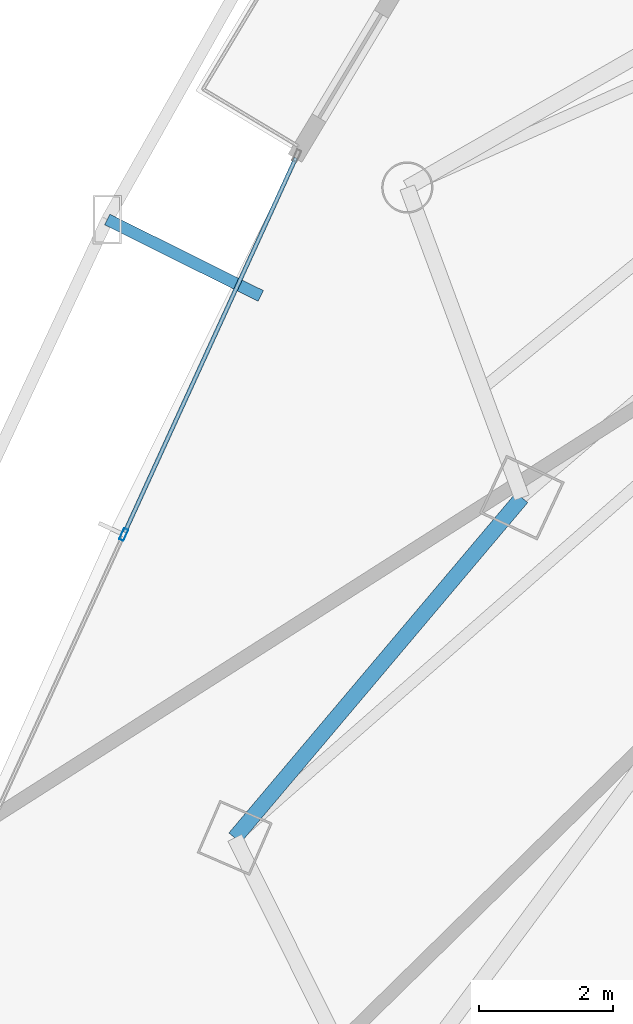
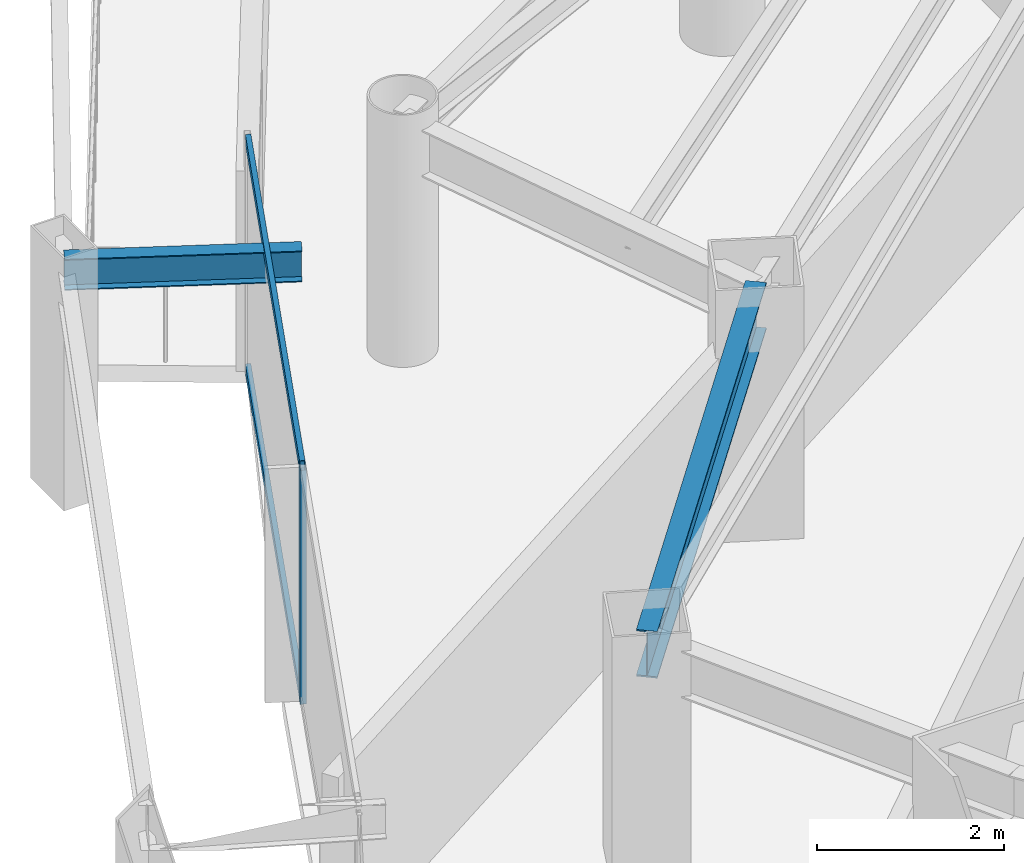
# One storey, part 8 of 34: 3 members, 2 beams, 1 element without a shape of its own.
"""IFC4 building model written with IfcOpenShell, lengths in metres."""

from ifc_helpers import new_model, si_unit, direction, frame, origin, origin_2d, place, context, subcontext, project, spatial, hollow_rectangle, i_section, extrude, material, layer, layer_set, material_profile, profile_set, type_object, element, aggregate, save


model = new_model("IFC4")

# Units and contexts
model_context = context("Model", 3, precision=1e-05, world=origin(), true_north=direction((0.0, 1.0)))
body_context = subcontext(model_context, "Body", "Model", "MODEL_VIEW")
ifc_project = project(units=[si_unit("LENGTHUNIT", "METRE"), si_unit("AREAUNIT", "SQUARE_METRE"), si_unit("VOLUMEUNIT", "CUBIC_METRE"), si_unit("PLANEANGLEUNIT", "RADIAN"), si_unit("MASSUNIT", "GRAM", prefix="KILO")], contexts=[model_context])

# Site, building, storey
site_placement = place(None, origin())
site = spatial("IfcSite", under=ifc_project, at=site_placement, CompositionType="ELEMENT")
building_placement = place(site_placement, origin())
building = spatial("IfcBuilding", under=site, at=building_placement, Name="Orvanel Arch Residences", CompositionType="ELEMENT")
storey_placement = place(building_placement, frame((0.0, 0.0, 67.550048828125)))
storey = spatial("IfcBuildingStorey", under=building, at=storey_placement, Name="L18", CompositionType="ELEMENT", Elevation=67.550048828125)

# Curtain wall, member
ifc_material_1 = material(Name="Bronze-anodised aluminium AA6063-T6", Category="aluminium")
ifc_layer = layer(ifc_material_1, 0.179931640625)
ifc_layer_set = layer_set([ifc_layer], Name="Bronze-anodised aluminium AA6063-T6")
curtain_wall_type = type_object("IfcCurtainWallType", Name="CW2-LOW-SYS", PredefinedType="NOTDEFINED", material=ifc_layer_set)
curtain_wall_placement = place(storey_placement, origin())
curtain_wall = element("IfcCurtainWall", 1, at=curtain_wall_placement, inside=storey, type_object=curtain_wall_type, Name="L18 CW2-LOW-SYS Unitised Curtain Wall", PredefinedType="NOTDEFINED")
ifc_material_profile_1 = material_profile(ifc_material_1, hollow_rectangle(XDim=0.070068359375, YDim=0.179931640625, WallThickness=0.00439453125, at=origin_2d()), Name="ALU180x70x4.5")
ifc_profile_set_1 = profile_set([ifc_material_profile_1], Name="Bronze-anodised aluminium AA6063-T6")
member_type_1 = type_object("IfcMemberType", Name="MUL-180x70", PredefinedType="MULLION", material=ifc_profile_set_1)
member_1_placement = place(storey_placement, frame((10.443603515625, 19.09375, 0.0), z_axis=(0.0, 0.0, 1.0), x_axis=(0.909506848006, -0.415688938305, 0.0)))
member_1 = element("IfcMember", 2, at=member_1_placement, type_object=member_type_1, Name="CW-S2 mullion 2", PredefinedType="MULLION", context=body_context, shape_type="SweptSolid", body=[
    extrude(hollow_rectangle(XDim=0.070068359375, YDim=0.179931640625, WallThickness=0.00439453125, at=origin_2d()), origin(), (0.0, 0.0, 1.0), 3.06005859375),
])

# Beams
ifc_material_2 = material(Name="Structural steel AS/NZS 3679.1 Grade 300 (300 MPa)", Category="steel")
ifc_material_profile_2 = material_profile(ifc_material_2, i_section(OverallWidth=0.177978515625, OverallDepth=0.406005859375, WebThickness=0.0078125, FlangeThickness=0.0126953125, at=origin_2d()), Name="410UB59.7")
ifc_profile_set_2 = profile_set([ifc_material_profile_2], Name="Structural steel AS/NZS 3679.1 Grade 300 (300 MPa)")
beam_type_1 = type_object("IfcBeamType", Name="OB-410UB-EXT", PredefinedType="SPANDREL", material=ifc_profile_set_2)
beam_1_placement = place(storey_placement, frame((12.48193359375, 22.64306640625, 2.85693359375), z_axis=(-0.895287212357, 0.445489402107, 0.0), x_axis=(-0.445489402107, -0.895287212357, 0.0)))
element("IfcBeam", 3, at=beam_1_placement, inside=storey, type_object=beam_type_1, Name="L18 Outer Frame Radial Tie Beam 03", PredefinedType="SPANDREL", context=body_context, shape_type="SweptSolid", body=[
    extrude(i_section(OverallWidth=0.177978515625, OverallDepth=0.406005859375, WebThickness=0.0078125, FlangeThickness=0.0126953125, at=origin_2d()), origin(), (0.0, 0.0, 1.0), 2.550048828125),
])
ifc_material_profile_3 = material_profile(ifc_material_2, i_section(OverallWidth=0.22900390625, OverallDepth=0.612060546875, WebThickness=0.011962890625, FlangeThickness=0.01953125, at=origin_2d()), Name="610UB125")
ifc_profile_set_3 = profile_set([ifc_material_profile_3], Name="Structural steel AS/NZS 3679.1 Grade 300 (300 MPa)")
beam_type_2 = type_object("IfcBeamType", Name="SP-610UB", PredefinedType="SPANDREL", material=ifc_profile_set_3)
beam_2_placement = place(storey_placement, frame((16.366943359375, 19.64208984375, 2.75390625), z_axis=(-0.644950329775, -0.764224490659, 0.0), x_axis=(0.764224490659, -0.644950329775, 0.0)))
element("IfcBeam", 4, at=beam_2_placement, inside=storey, type_object=beam_type_2, Name="L18 Perimeter Spandrel Beam 01", PredefinedType="SPANDREL", context=body_context, shape_type="SweptSolid", body=[
    extrude(i_section(OverallWidth=0.22900390625, OverallDepth=0.612060546875, WebThickness=0.011962890625, FlangeThickness=0.01953125, at=origin_2d()), origin(), (0.0, 0.0, 1.0), 6.623779296875),
])

# Member
ifc_material_profile_4 = material_profile(ifc_material_1, hollow_rectangle(XDim=0.06005859375, YDim=0.135009765625, WallThickness=0.00390625, at=origin_2d()), Name="ALU135x60x4")
ifc_profile_set_4 = profile_set([ifc_material_profile_4], Name="Bronze-anodised aluminium AA6063-T6")
member_type_2 = type_object("IfcMemberType", Name="TRN-135x60", PredefinedType="USERDEFINED", material=ifc_profile_set_4)
member_2_placement = place(storey_placement, frame((13.00390625, 24.6953125, 0.030029296875), z_axis=(-0.415685329324, -0.909508497478, 0.0), x_axis=(0.909508497478, -0.415685329324, 0.0)))
member_2 = element("IfcMember", 5, at=member_2_placement, type_object=member_type_2, Name="CW-S2 transom 1.1", ObjectType="TRANSOM", PredefinedType="USERDEFINED", context=body_context, shape_type="SweptSolid", body=[
    extrude(hollow_rectangle(XDim=0.06005859375, YDim=0.135009765625, WallThickness=0.00390625, at=origin_2d()), origin(), (0.0, 0.0, 1.0), 6.1240234375),
])

member_3_placement = place(storey_placement, frame((13.00390625, 24.6953125, 3.030029296875), z_axis=(-0.415685329324, -0.909508497478, 0.0), x_axis=(0.909508497478, -0.415685329324, 0.0)))
member_3 = element("IfcMember", 6, at=member_3_placement, type_object=member_type_2, Name="CW-S2 transom 1.2", ObjectType="TRANSOM", PredefinedType="USERDEFINED", context=body_context, shape_type="SweptSolid", body=[
    extrude(hollow_rectangle(XDim=0.06005859375, YDim=0.135009765625, WallThickness=0.00390625, at=origin_2d()), origin(), (0.0, 0.0, 1.0), 6.1240234375),
])

aggregate(curtain_wall, [member_1, member_2, member_3])

save(model, "model.ifc")
